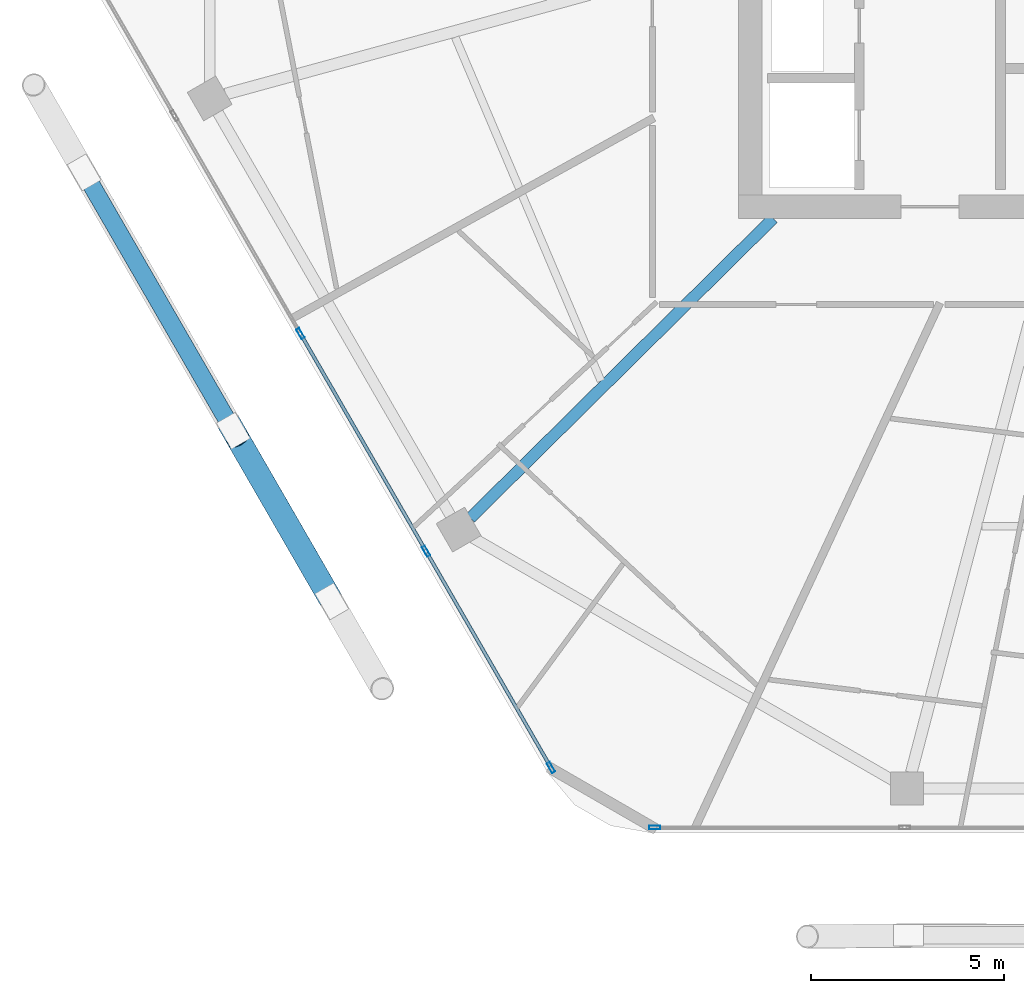
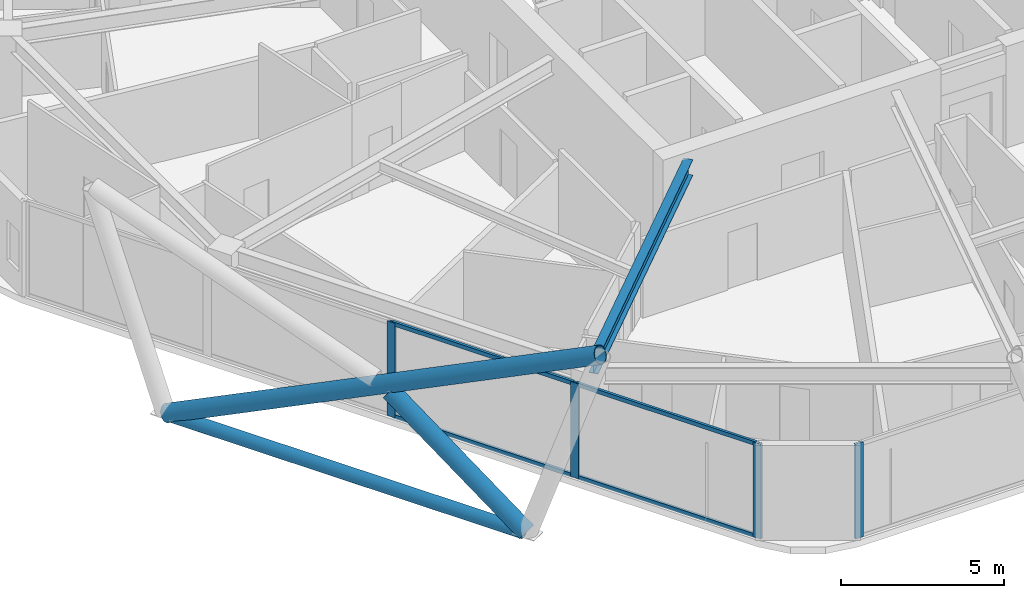
# One storey, part 2 of 29: 11 members, 1 beam, 2 elements without a shape of their own.
"""IFC4 building model written with IfcOpenShell, lengths in metres."""

from ifc_helpers import new_model, si_unit, direction, frame, origin, origin_2d, place, context, subcontext, project, spatial, hollow_rectangle, hollow_circle, i_section, extrude, material, material_profile, profile_set, type_object, element, aggregate, save


model = new_model("IFC4")

# Units and contexts
model_context = context("Model", 3, precision=1e-05, world=origin(), true_north=direction((0.0, 1.0)))
body_context = subcontext(model_context, "Body", "Model", "MODEL_VIEW")
ifc_project = project(units=[si_unit("LENGTHUNIT", "METRE"), si_unit("AREAUNIT", "SQUARE_METRE"), si_unit("VOLUMEUNIT", "CUBIC_METRE"), si_unit("PLANEANGLEUNIT", "RADIAN"), si_unit("MASSUNIT", "GRAM", prefix="KILO")], contexts=[model_context])

# Site, building, storey
site_placement = place(None, origin())
site = spatial("IfcSite", under=ifc_project, at=site_placement, CompositionType="ELEMENT")
building_placement = place(site_placement, origin())
building = spatial("IfcBuilding", under=site, at=building_placement, Name="Zuhravey Tower", CompositionType="ELEMENT")
storey_placement = place(building_placement, frame((0.0, 0.0, 269.199951171875)))
storey = spatial("IfcBuildingStorey", under=building, at=storey_placement, Name="L68", CompositionType="ELEMENT", Elevation=269.199951171875)

# Curtain wall, member
ifc_material_1 = material(Name="Thermally broken anodised aluminium", Category="aluminium")
curtain_wall_type = type_object("IfcCurtainWallType", Name="Zone 3-4 High-Rise Curtain Wall CW4", PredefinedType="NOTDEFINED", material=ifc_material_1)
curtain_wall_1_placement = place(storey_placement, origin())
curtain_wall_1 = element("IfcCurtainWall", 1, at=curtain_wall_1_placement, inside=storey, type_object=curtain_wall_type, Name="L68 CW4 CW-L68-F5-1", PredefinedType="NOTDEFINED")
ifc_material_2 = material(Name="Anodised aluminium", Category="aluminium")
ifc_material_profile_1 = material_profile(ifc_material_2, hollow_rectangle(XDim=0.090087890625, YDim=0.284912109375, WallThickness=0.0048828125, at=origin_2d()), Name="ALU-RHS-90x285x5")
ifc_profile_set_1 = profile_set([ifc_material_profile_1], Name="Anodised aluminium")
member_type_1 = type_object("IfcMemberType", Name="Curtain-Wall Mullion 90x180", PredefinedType="MULLION", material=ifc_profile_set_1)
member_1_placement = place(storey_placement, frame((23.0322265625, 6.436279296875, 0.0), z_axis=(0.0, 0.0, 1.0), x_axis=(0.0, -1.0, 0.0)))
member_1 = element("IfcMember", 2, at=member_1_placement, type_object=member_type_1, Name="CW4 mullion 5", PredefinedType="MULLION", context=body_context, shape_type="SweptSolid", body=[
    extrude(hollow_rectangle(XDim=0.090087890625, YDim=0.284912109375, WallThickness=0.0048828125, at=origin_2d()), origin(), (0.0, 0.0, 1.0), 3.550048828125),
])
aggregate(curtain_wall_1, [member_1])

# Curtain wall, members
curtain_wall_2_placement = place(storey_placement, origin())
curtain_wall_2 = element("IfcCurtainWall", 3, at=curtain_wall_2_placement, inside=storey, type_object=curtain_wall_type, Name="L68 CW4 CW-L68-F4-1", PredefinedType="NOTDEFINED")
member_2_placement = place(storey_placement, frame((20.34521484375, 7.98779296875, 0.0), z_axis=(0.0, 0.0, 1.0), x_axis=(-0.866024851021, -0.500000957414, 0.0)))
member_2 = element("IfcMember", 4, at=member_2_placement, type_object=member_type_1, Name="CW4 mullion 1", PredefinedType="MULLION", context=body_context, shape_type="SweptSolid", body=[
    extrude(hollow_rectangle(XDim=0.090087890625, YDim=0.284912109375, WallThickness=0.0048828125, at=origin_2d()), origin(), (0.0, 0.0, 1.0), 3.550048828125),
])
member_3_placement = place(storey_placement, frame((17.114501953125, 13.58349609375, 0.0), z_axis=(0.0, 0.0, 1.0), x_axis=(-0.866024851021, -0.500000957414, 0.0)))
member_3 = element("IfcMember", 5, at=member_3_placement, type_object=member_type_1, Name="CW4 mullion 2", PredefinedType="MULLION", context=body_context, shape_type="SweptSolid", body=[
    extrude(hollow_rectangle(XDim=0.090087890625, YDim=0.284912109375, WallThickness=0.0048828125, at=origin_2d()), origin(), (0.0, 0.0, 1.0), 3.550048828125),
])
member_4_placement = place(storey_placement, frame((13.861328125, 19.21826171875, 0.0), z_axis=(0.0, 0.0, 1.0), x_axis=(-0.866024851021, -0.500000957414, 0.0)))
member_4 = element("IfcMember", 6, at=member_4_placement, type_object=member_type_1, Name="CW4 mullion 3", PredefinedType="MULLION", context=body_context, shape_type="SweptSolid", body=[
    extrude(hollow_rectangle(XDim=0.090087890625, YDim=0.284912109375, WallThickness=0.0048828125, at=origin_2d()), origin(), (0.0, 0.0, 1.0), 3.550048828125),
])
ifc_material_profile_2 = material_profile(ifc_material_2, hollow_rectangle(XDim=0.090087890625, YDim=0.14990234375, WallThickness=0.0048828125, at=origin_2d()), Name="ALU-RHS-90x150x5")
ifc_profile_set_2 = profile_set([ifc_material_profile_2], Name="Anodised aluminium")
member_type_2 = type_object("IfcMemberType", Name="Curtain-Wall Transom 90x150", PredefinedType="USERDEFINED", material=ifc_profile_set_2)
member_5_placement = place(storey_placement, frame((20.322509765625, 8.02685546875, 0.045166015625), z_axis=(-0.499980071345, 0.866036909293, 0.0), x_axis=(-0.866036909293, -0.499980071345, 0.0)))
member_5 = element("IfcMember", 7, at=member_5_placement, type_object=member_type_2, Name="CW4 transom 1.1", ObjectType="TRANSOM", PredefinedType="USERDEFINED", context=body_context, shape_type="SweptSolid", body=[
    extrude(hollow_rectangle(XDim=0.090087890625, YDim=0.14990234375, WallThickness=0.0048828125, at=origin_2d()), origin(), (0.0, 0.0, 1.0), 6.371337890625),
])
member_6_placement = place(storey_placement, frame((20.322509765625, 8.02685546875, 3.505126953125), z_axis=(-0.499980071345, 0.866036909293, 0.0), x_axis=(-0.866036909293, -0.499980071345, 0.0)))
member_6 = element("IfcMember", 8, at=member_6_placement, type_object=member_type_2, Name="CW4 transom 1.2", ObjectType="TRANSOM", PredefinedType="USERDEFINED", context=body_context, shape_type="SweptSolid", body=[
    extrude(hollow_rectangle(XDim=0.090087890625, YDim=0.14990234375, WallThickness=0.0048828125, at=origin_2d()), origin(), (0.0, 0.0, 1.0), 6.371337890625),
])
member_7_placement = place(storey_placement, frame((17.092041015625, 13.62255859375, 0.045166015625), z_axis=(-0.500014493347, 0.866017035885, 0.0), x_axis=(-0.866017035885, -0.500014493347, 0.0)))
member_7 = element("IfcMember", 9, at=member_7_placement, type_object=member_type_2, Name="CW4 transom 2.1", ObjectType="TRANSOM", PredefinedType="USERDEFINED", context=body_context, shape_type="SweptSolid", body=[
    extrude(hollow_rectangle(XDim=0.090087890625, YDim=0.14990234375, WallThickness=0.0048828125, at=origin_2d()), origin(), (0.0, 0.0, 1.0), 6.416259765625),
])
member_8_placement = place(storey_placement, frame((17.092041015625, 13.62255859375, 3.505126953125), z_axis=(-0.500014493347, 0.866017035885, 0.0), x_axis=(-0.866017035885, -0.500014493347, 0.0)))
member_8 = element("IfcMember", 10, at=member_8_placement, type_object=member_type_2, Name="CW4 transom 2.2", ObjectType="TRANSOM", PredefinedType="USERDEFINED", context=body_context, shape_type="SweptSolid", body=[
    extrude(hollow_rectangle(XDim=0.090087890625, YDim=0.14990234375, WallThickness=0.0048828125, at=origin_2d()), origin(), (0.0, 0.0, 1.0), 6.416259765625),
])
aggregate(curtain_wall_2, [member_2, member_3, member_4, member_5, member_6, member_7, member_8])

# Members
ifc_material_3 = material(Name="Steel SM355", Category="steel")
ifc_material_profile_3 = material_profile(ifc_material_3, hollow_circle(Radius=0.228515625, WallThickness=0.02197265625, at=origin_2d()), Name="CHS-457.2x22")
ifc_profile_set_3 = profile_set([ifc_material_profile_3], Name="Steel SM355")
member_type_3 = type_object("IfcMemberType", Name="Exoskeleton Ring Tie CHS457x22", PredefinedType="CHORD", material=ifc_profile_set_3)
member_9_placement = place(storey_placement, frame((8.337158203125, 23.26611328125, -0.4638671875), z_axis=(0.50000793057, -0.866020825019, 0.0), x_axis=(0.866020825019, 0.50000793057, 0.0)))
element("IfcMember", 11, at=member_9_placement, inside=storey, type_object=member_type_3, Name="L68 Exoskeleton Face 4 Tie EXR1", PredefinedType="CHORD", context=body_context, shape_type="SweptSolid", body=[
    extrude(hollow_circle(Radius=0.228515625, WallThickness=0.02197265625, at=origin_2d()), origin(), (0.0, 0.0, 1.0), 12.535400390625),
])
ifc_material_profile_4 = material_profile(ifc_material_3, hollow_circle(Radius=0.3046875, WallThickness=0.028076171875, at=origin_2d()), Name="CHS-609.6x28")
ifc_profile_set_4 = profile_set([ifc_material_profile_4], Name="Steel SM355")
member_type_4 = type_object("IfcMemberType", Name="Exoskeleton Zone 3 Diagrid CHS610x28", PredefinedType="BRACE", material=ifc_profile_set_4)
member_10_placement = place(storey_placement, frame((8.285400390625, 23.355712890625, -0.446044921875), z_axis=(0.448584334027, -0.776956905635, 0.44171264647), x_axis=(0.866021515814, 0.500006734102, 0.0)))
element("IfcMember", 12, at=member_10_placement, inside=storey, type_object=member_type_4, Name="L68 Face 4 Diagrid Brace 2", PredefinedType="BRACE", context=body_context, shape_type="SweptSolid", body=[
    extrude(hollow_circle(Radius=0.3046875, WallThickness=0.028076171875, at=origin_2d()), origin(), (0.0, 0.0, 1.0), 17.124755859375),
])
member_11_placement = place(storey_placement, frame((14.658447265625, 12.3173828125, -0.439697265625), z_axis=(-0.400847383704, 0.694296697272, 0.597723574183), x_axis=(-0.866028105091, -0.49999532117, 0.0)))
element("IfcMember", 13, at=member_11_placement, inside=storey, type_object=member_type_4, Name="L68 Face 4 Split Diagrid Brace 3A", PredefinedType="BRACE", context=body_context, shape_type="SweptSolid", body=[
    extrude(hollow_circle(Radius=0.3046875, WallThickness=0.028076171875, at=origin_2d()), origin(), (0.0, 0.0, 1.0), 6.021728515625),
])

# Beam
ifc_material_profile_5 = material_profile(ifc_material_3, i_section(OverallWidth=0.300048828125, OverallDepth=0.60009765625, WebThickness=0.011962890625, FlangeThickness=0.02001953125, at=origin_2d()), Name="H-600x300x12x20")
ifc_profile_set_5 = profile_set([ifc_material_profile_5], Name="Steel SM355")
beam_type = type_object("IfcBeamType", Name="Radial Primary Girder H600x300", PredefinedType="BEAM", material=ifc_profile_set_5)
beam_placement = place(storey_placement, frame((26.09326171875, 22.197021484375, 3.25), z_axis=(-0.710808169267, -0.70338591577, 0.0), x_axis=(0.70338591577, -0.710808169267, 0.0)))
element("IfcBeam", 14, at=beam_placement, inside=storey, type_object=beam_type, Name="L68 RG3 BM-L68-RAD-08", PredefinedType="BEAM", context=body_context, shape_type="SweptSolid", body=[
    extrude(i_section(OverallWidth=0.300048828125, OverallDepth=0.60009765625, WebThickness=0.011962890625, FlangeThickness=0.02001953125, at=origin_2d()), origin(), (0.0, 0.0, 1.0), 11.019287109375),
])

save(model, "model.ifc")
